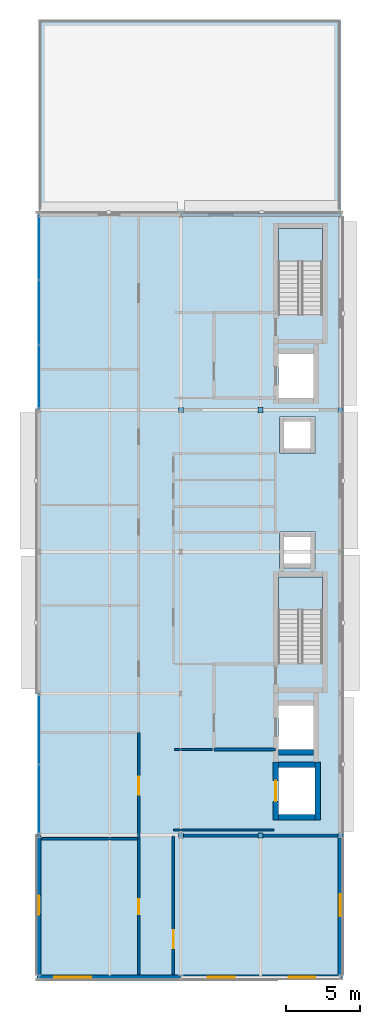
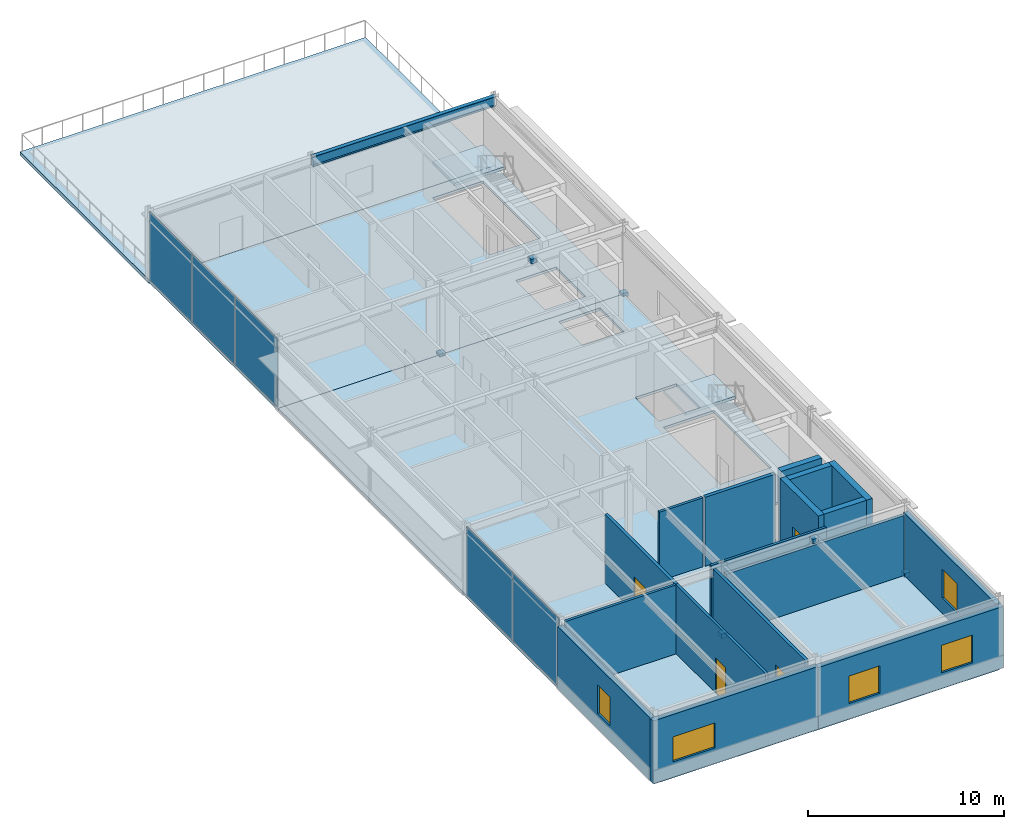
# One storey, part 13 of 18: 17 walls, 11 plates, 5 slabs, 5 windows, 4 doors, 1 beam, 9 openings, 4 elements without a shape of their own.
"""IFC4 building model written with IfcOpenShell, lengths in metres."""

import ifcopenshell
import ifcopenshell.guid

model = None  # the IFC model being written
_history = None  # IfcOwnerHistory: only IFC2X3 demands one
_inside = {}  # id of a spatial element -> (the spatial element, [elements in it])
_under = {}  # id of a project, library or spatial element -> (it, [spatial elements below it])
_declared = {}  # id of a project -> (the project, [libraries it declares])
_typed = {}  # id of a type object -> (the type object, [elements of that type])
_made_of = {}  # id of a material, layer set ... -> (it, [elements and type objects made of it])


def new_model(schema):
    """Start an empty IFC model of exactly this schema.

    Asked for "IFC4X3", IfcOpenShell would pick the latest addendum, in which some entities
    have other attributes; the version numbers below select the first issue.
    IFC2X3 requires an IfcOwnerHistory on every rooted entity: one is made here for all.
    """
    global model, _history
    if schema == "IFC4X3":
        model = ifcopenshell.file(schema_version=(4, 3, 0, 0))
    else:
        model = ifcopenshell.file(schema=schema)
    _inside.clear()
    _under.clear()
    _declared.clear()
    _typed.clear()
    _made_of.clear()
    _history = None
    if model.schema == "IFC2X3":
        org = make("IfcOrganization", Name="unknown")
        user = make(
            "IfcPersonAndOrganization",
            ThePerson=make("IfcPerson", FamilyName="unknown"),
            TheOrganization=org,
        )
        app = make(
            "IfcApplication",
            ApplicationDeveloper=org,
            Version="unknown",
            ApplicationFullName="unknown",
            ApplicationIdentifier="unknown",
        )
        _history = make(
            "IfcOwnerHistory",
            OwningUser=user,
            OwningApplication=app,
            ChangeAction="ADDED",
            CreationDate=0,
        )
    return model


def make(cls, **values):
    """One entity of the class cls with the attributes given. An attribute that is None is left unset."""
    return model.create_entity(
        cls, **{name: value for name, value in values.items() if value is not None}
    )


def rooted(cls, **values):
    """An entity with a GlobalId (a new one), such as an element, a storey or a relation."""
    return make(cls, GlobalId=ifcopenshell.guid.new(), OwnerHistory=_history, **values)


def si_unit(unit_type, name, prefix=None):
    """IfcSIUnit, for example si_unit("LENGTHUNIT", "METRE", prefix="MILLI")."""
    return make("IfcSIUnit", UnitType=unit_type, Prefix=prefix, Name=name)


def assignment(units):
    """IfcUnitAssignment: the units of a project."""
    return None if units is None else make("IfcUnitAssignment", Units=units)


def point(xyz):
    """IfcCartesianPoint."""
    return None if xyz is None else make("IfcCartesianPoint", Coordinates=xyz)


def direction(xyz):
    """IfcDirection."""
    return None if xyz is None else make("IfcDirection", DirectionRatios=xyz)


def frame(location, z_axis=None, x_axis=None):
    """IfcAxis2Placement3D, a coordinate frame: its origin and axes. An axis left out is left unset."""
    return make(
        "IfcAxis2Placement3D",
        Location=point(location),
        Axis=direction(z_axis),
        RefDirection=direction(x_axis),
    )


def frame_2d(location, x_axis=None):
    """IfcAxis2Placement2D, a coordinate frame in the plane: its origin and x axis."""
    return make(
        "IfcAxis2Placement2D", Location=point(location), RefDirection=direction(x_axis)
    )


def origin():
    """The frame at (0, 0, 0) with its axes left unset."""
    return frame((0.0, 0.0, 0.0))


def origin_2d():
    """The frame at (0, 0) in the plane with its x axis left unset."""
    return frame_2d((0.0, 0.0))


def place(relative_to, where):
    """IfcLocalPlacement: puts the frame where relative to a parent placement (None: the world)."""
    return make(
        "IfcLocalPlacement", PlacementRelTo=relative_to, RelativePlacement=where
    )


def context(
    kind, dimensions, precision=None, world=None, true_north=None, identifier=None
):
    """IfcGeometricRepresentationContext, for example the 3D "Model" context."""
    return make(
        "IfcGeometricRepresentationContext",
        ContextIdentifier=identifier,
        ContextType=kind,
        CoordinateSpaceDimension=dimensions,
        Precision=precision,
        WorldCoordinateSystem=world,
        TrueNorth=true_north,
    )


def subcontext(parent, identifier, kind, view, scale=None):
    """IfcGeometricRepresentationSubContext, for example "Body" below "Model"."""
    return make(
        "IfcGeometricRepresentationSubContext",
        ContextIdentifier=identifier,
        ContextType=kind,
        ParentContext=parent,
        TargetScale=scale,
        TargetView=view,
    )


def project(units=None, contexts=None):
    """IfcProject with its units and contexts."""
    return rooted(
        "IfcProject",
        Name="project",
        RepresentationContexts=contexts,
        UnitsInContext=assignment(units),
    )


def spatial(cls, under=None, at=None, **own):
    """A site, building, storey or space (cls), placed at a placement, below another one or the project."""
    s = rooted(cls, ObjectPlacement=at, **own)
    if under is not None:
        _under.setdefault(under.id(), (under, []))[1].append(s)
    return s


def polyline(points):
    """IfcPolyline through the points."""
    return make("IfcPolyline", Points=[point(p) for p in points])


def profile(cls, at=None, kind="AREA", **sizes):
    """A parametric profile (cls). Its sizes go by their IFC names, for example OverallWidth=200.0."""
    return make(cls, ProfileType=kind, Position=at, **sizes)


def rectangle(**sizes):
    """IfcRectangleProfileDef."""
    return profile("IfcRectangleProfileDef", **sizes)


def i_section(**sizes):
    """IfcIShapeProfileDef."""
    return profile("IfcIShapeProfileDef", **sizes)


def outline(outer, holes=None, kind="AREA"):
    """IfcArbitraryClosedProfileDef: a profile drawn as a closed curve; with holes, ...WithVoids."""
    if holes is None:
        return make("IfcArbitraryClosedProfileDef", ProfileType=kind, OuterCurve=outer)
    return make(
        "IfcArbitraryProfileDefWithVoids",
        ProfileType=kind,
        OuterCurve=outer,
        InnerCurves=holes,
    )


def extrude(swept, where, along, depth):
    """IfcExtrudedAreaSolid: the profile swept, set in the frame where, extruded along a direction by depth."""
    return make(
        "IfcExtrudedAreaSolid",
        SweptArea=swept,
        Position=where,
        ExtrudedDirection=direction(along),
        Depth=depth,
    )


def shape(context_of_items, identifier, shape_type, items):
    """IfcShapeRepresentation: the items that make up one representation, for example the "Body"."""
    return make(
        "IfcShapeRepresentation",
        ContextOfItems=context_of_items,
        RepresentationIdentifier=identifier,
        RepresentationType=shape_type,
        Items=items,
    )


def material(Name=None, Category=None):
    """IfcMaterial."""
    return make("IfcMaterial", Name=Name, Category=Category)


def layer(
    of_material, thickness, ventilated=None, Name=None, Category=None, Priority=None
):
    """IfcMaterialLayer: one layer of a wall or slab, of a material (None: an air gap)."""
    return make(
        "IfcMaterialLayer",
        Material=of_material,
        LayerThickness=thickness,
        IsVentilated=ventilated,
        Name=Name,
        Category=Category,
        Priority=Priority,
    )


def layer_set(layers, Name=None):
    """IfcMaterialLayerSet."""
    return make("IfcMaterialLayerSet", MaterialLayers=layers, LayerSetName=Name)


def material_profile(
    of_material, cross_section, Name=None, Category=None, Priority=None
):
    """IfcMaterialProfile: a cross section and its material."""
    return make(
        "IfcMaterialProfile",
        Name=Name,
        Material=of_material,
        Profile=cross_section,
        Priority=Priority,
        Category=Category,
    )


def profile_set(profiles, Name=None, composite=None):
    """IfcMaterialProfileSet."""
    return make(
        "IfcMaterialProfileSet",
        Name=Name,
        MaterialProfiles=profiles,
        CompositeProfile=composite,
    )


def made_of(thing, what):
    """Note that an element or type object is made of a material, layer set ...; save() writes the relation."""
    if what is not None:
        _made_of.setdefault(what.id(), (what, []))[1].append(thing)
    return thing


def type_object(cls, material=None, **own):
    """A type object (cls), such as IfcWallType, which elements share."""
    return made_of(rooted(cls, **own), material)


def element(
    cls,
    number,
    at=None,
    inside=None,
    cuts=None,
    type_object=None,
    material=None,
    context=None,
    identifier="Body",
    shape_type=None,
    held_by="IfcProductDefinitionShape",
    body=None,
    shapes=None,
    **own,
):
    """One element of the class cls, such as IfcWall. Its Tag is "e" and its number.

    at: its placement. inside: the storey or other place that contains it. cuts: it is an
    opening in that element (IfcRelVoidsElement). A single representation is given by context,
    identifier, shape_type and body (its items); several are given by shapes. held_by: the class
    of the entity that holds the representations. save() writes the other relations.
    """
    e = rooted(cls, Tag="e%d" % number, ObjectPlacement=at, **own)
    if body is not None:
        shapes = [shape(context, identifier, shape_type, body)]
    if shapes is not None:
        e.Representation = make(held_by, Representations=shapes)
    if inside is not None:
        _inside.setdefault(inside.id(), (inside, []))[1].append(e)
    if cuts is not None:
        rooted(
            "IfcRelVoidsElement", RelatingBuildingElement=cuts, RelatedOpeningElement=e
        )
    if type_object is not None:
        _typed.setdefault(type_object.id(), (type_object, []))[1].append(e)
    return made_of(e, material)


def fill(opening, filler):
    """IfcRelFillsElement: the door or window that sits in an opening."""
    return rooted(
        "IfcRelFillsElement",
        RelatingOpeningElement=opening,
        RelatedBuildingElement=filler,
    )


def aggregate(whole, parts):
    """IfcRelAggregates: a whole, such as a stair, and the parts it consists of."""
    return rooted("IfcRelAggregates", RelatingObject=whole, RelatedObjects=parts)


def save(model, path):
    """Write the relations noted so far, then the file.

    IfcRelAggregates (storeys below a building ...), IfcRelContainedInSpatialStructure (elements
    in a storey), IfcRelDefinesByType, IfcRelAssociatesMaterial and IfcRelDeclares: one each for
    every whole, place, type object, material and project.
    """
    for whole, parts in _under.values():
        aggregate(whole, parts)
    for where, things in _inside.values():
        rooted(
            "IfcRelContainedInSpatialStructure",
            RelatedElements=things,
            RelatingStructure=where,
        )
    for kind, things in _typed.values():
        rooted("IfcRelDefinesByType", RelatedObjects=things, RelatingType=kind)
    for what, things in _made_of.values():
        rooted("IfcRelAssociatesMaterial", RelatedObjects=things, RelatingMaterial=what)
    for by, libraries in _declared.values():
        rooted("IfcRelDeclares", RelatingContext=by, RelatedDefinitions=libraries)
    model.write(path)


model = new_model("IFC4")

# Units and contexts
model_context = context("Model", 3, precision=1e-05, world=origin(), true_north=direction((0.0, 1.0)))
body_context = subcontext(model_context, "Body", "Model", "MODEL_VIEW")
ifc_project = project(units=[si_unit("LENGTHUNIT", "METRE"), si_unit("AREAUNIT", "SQUARE_METRE"), si_unit("VOLUMEUNIT", "CUBIC_METRE"), si_unit("PLANEANGLEUNIT", "RADIAN"), si_unit("MASSUNIT", "GRAM", prefix="KILO")], contexts=[model_context])

# Site, building, storey
site_placement = place(None, origin())
site = spatial("IfcSite", under=ifc_project, at=site_placement, CompositionType="ELEMENT")
building_placement = place(site_placement, origin())
building = spatial("IfcBuilding", under=site, at=building_placement, Name="Almandine Court Research Institute", CompositionType="ELEMENT")
storey_placement = place(building_placement, frame((0.0, 0.0, 37.10009765625)))
storey = spatial("IfcBuildingStorey", under=building, at=storey_placement, Name="L08", CompositionType="ELEMENT", Elevation=37.10009765625)

# Beam
ifc_material_1 = material(Name="Steel ASTM A992 Grade 50", Category="steel")
ifc_material_profile = material_profile(ifc_material_1, i_section(OverallWidth=0.22998046875, OverallDepth=0.616943359375, WebThickness=0.012939453125, FlangeThickness=0.02197265625, at=origin_2d()), Name="W610x140")
ifc_profile_set = profile_set([ifc_material_profile], Name="Steel ASTM A992 Grade 50")
beam_type = type_object("IfcBeamType", Name="Beam-G-02", PredefinedType="BEAM", material=ifc_profile_set)
beam_placement = place(storey_placement, frame((163.199951171875, 57.60009765625, 4.075927734375), z_axis=(1.0, 0.0, 0.0), x_axis=(0.0, 1.0, 0.0)))
element("IfcBeam", 1, at=beam_placement, inside=storey, type_object=beam_type, Name="L08 V4 Primary X Girder", PredefinedType="BEAM", context=body_context, shape_type="SweptSolid", body=[
    extrude(i_section(OverallWidth=0.22998046875, OverallDepth=0.616943359375, WebThickness=0.012939453125, FlangeThickness=0.02197265625, at=origin_2d()), origin(), (0.0, 0.0, 1.0), 10.800048828125),
])

# Curtain wall, plates
ifc_material_2 = material(Name="Unitised Curtain Wall Framing and Solar Glazing", Category="glass")
curtain_wall_type_1 = type_object("IfcCurtainWallType", Name="CW-CWJ-02", PredefinedType="USERDEFINED", material=ifc_material_2)
curtain_wall_1_placement = place(storey_placement, origin())
curtain_wall_1 = element("IfcCurtainWall", 2, at=curtain_wall_1_placement, inside=storey, type_object=curtain_wall_type_1, Name="L08 Wet Lab West Courtyard Jali Curtain Wall 2", ObjectType="SOLAR JALI SCREEN", PredefinedType="USERDEFINED")
ifc_material_3 = material(Name="Perforated Ochre Terracotta Jali Solar Cassette", Category="masonry")
ifc_layer_1 = layer(ifc_material_3, 0.035888671875)
ifc_layer_set_1 = layer_set([ifc_layer_1], Name="Perforated Ochre Terracotta Jali Solar Cassette")
plate_type_1 = type_object("IfcPlateType", Name="CWPnl-JALI-36", PredefinedType="CURTAIN_PANEL", material=ifc_layer_set_1)
plate_1_placement = place(storey_placement, frame((153.60009765625, 18.018310546875, 0.06494140625), z_axis=(0.0, 0.0, 1.0), x_axis=(0.0, 1.0, 0.0)))
plate_1 = element("IfcPlate", 3, at=plate_1_placement, type_object=plate_type_1, Name="CWJ-02 panel 1.1", PredefinedType="CURTAIN_PANEL", context=body_context, shape_type="SweptSolid", body=[
    extrude(rectangle(XDim=4.698486328125, YDim=0.035888671875, at=origin_2d()), origin(), (0.0, 0.0, 1.0), 4.239990234375),
])
plate_2_placement = place(storey_placement, frame((153.60009765625, 22.78173828125, 0.06494140625), z_axis=(0.0, 0.0, 1.0), x_axis=(0.0, 1.0, 0.0)))
plate_2 = element("IfcPlate", 4, at=plate_2_placement, type_object=plate_type_1, Name="CWJ-02 panel 2.1", PredefinedType="CURTAIN_PANEL", context=body_context, shape_type="SweptSolid", body=[
    extrude(rectangle(XDim=4.698486328125, YDim=0.035888671875, at=origin_2d()), origin(), (0.0, 0.0, 1.0), 4.239990234375),
])
aggregate(curtain_wall_1, [plate_1, plate_2])

curtain_wall_type_2 = type_object("IfcCurtainWallType", Name="CW-CWJ-15", PredefinedType="USERDEFINED", material=ifc_material_2)
curtain_wall_2_placement = place(storey_placement, origin())
curtain_wall_2 = element("IfcCurtainWall", 5, at=curtain_wall_2_placement, inside=storey, type_object=curtain_wall_type_2, Name="L08 Wet Lab West Courtyard Jali Curtain Wall 5", ObjectType="SOLAR JALI SCREEN", PredefinedType="USERDEFINED")
plate_3_placement = place(storey_placement, frame((153.60009765625, 46.618896484375, 0.06494140625), z_axis=(0.0, 0.0, 1.0), x_axis=(0.0, 1.0, 0.0)))
plate_3 = element("IfcPlate", 6, at=plate_3_placement, type_object=plate_type_1, Name="CWJ-15 panel 1.1", PredefinedType="CURTAIN_PANEL", context=body_context, shape_type="SweptSolid", body=[
    extrude(rectangle(XDim=4.2998046875, YDim=0.035888671875, at=origin_2d()), origin(), (0.0, 0.0, 1.0), 4.239990234375),
])
plate_4_placement = place(storey_placement, frame((153.60009765625, 51.0, 0.06494140625), z_axis=(0.0, 0.0, 1.0), x_axis=(0.0, 1.0, 0.0)))
plate_4 = element("IfcPlate", 7, at=plate_4_placement, type_object=plate_type_1, Name="CWJ-15 panel 2.1", PredefinedType="CURTAIN_PANEL", context=body_context, shape_type="SweptSolid", body=[
    extrude(rectangle(XDim=4.332275390625, YDim=0.035888671875, at=origin_2d()), origin(), (0.0, 0.0, 1.0), 4.239990234375),
])
plate_5_placement = place(storey_placement, frame((153.60009765625, 55.381103515625, 0.06494140625), z_axis=(0.0, 0.0, 1.0), x_axis=(0.0, 1.0, 0.0)))
plate_5 = element("IfcPlate", 8, at=plate_5_placement, type_object=plate_type_1, Name="CWJ-15 panel 3.1", PredefinedType="CURTAIN_PANEL", context=body_context, shape_type="SweptSolid", body=[
    extrude(rectangle(XDim=4.2998046875, YDim=0.035888671875, at=origin_2d()), origin(), (0.0, 0.0, 1.0), 4.239990234375),
])
aggregate(curtain_wall_2, [plate_3, plate_4, plate_5])

# Plates
ifc_material_4 = material(Name="Steel ASTM A36", Category="steel")
ifc_layer_2 = layer(ifc_material_4, 0.280029296875)
ifc_layer_set_2 = layer_set([ifc_layer_2], Name="Steel ASTM A36")
plate_type_2 = type_object("IfcPlateType", Name="Plate-NPI-03", PredefinedType="SHEET", material=ifc_layer_set_2)
for number, where, z_axis, x_axis, name in (
    (9, (163.199951171875, 15.60009765625, -0.1201171875), (0.0, 0.0, 1.0), (1.0, 0.0, 0.0), "L08 Seismic Brace Gusset Cap Plate V4-BF1-BL"),
    (10, (174.0, 15.60009765625, -0.1201171875), (0.0, 0.0, 1.0), (1.0, 0.0, 0.0), "L08 Seismic Brace Gusset Cap Plate V4-BF1-BR"),
    (11, (168.60009765625, 15.60009765625, 3.90966796875), (0.0, 0.0, 1.0), (1.0, 0.0, 0.0), "L08 Seismic Brace Gusset Cap Plate V4-BF1-AP"),
    (12, (163.199951171875, 44.39990234375, -0.1201171875), (0.0, 0.0, 1.0), (1.0, 0.0, 0.0), "L08 Seismic Brace Gusset Cap Plate V4-BF2-BL"),
    (13, (174.0, 44.39990234375, -0.1201171875), (0.0, 0.0, 1.0), (1.0, 0.0, 0.0), "L08 Seismic Brace Gusset Cap Plate V4-BF2-BR"),
    (14, (168.60009765625, 44.39990234375, 3.90966796875), (0.0, 0.0, 1.0), (1.0, 0.0, 0.0), "L08 Seismic Brace Gusset Cap Plate V4-BF2-AP"),
):
    element("IfcPlate", number, at=place(storey_placement, frame(where, z_axis=z_axis, x_axis=x_axis)), inside=storey, type_object=plate_type_2, Name=name, PredefinedType="SHEET", context=body_context, shape_type="SweptSolid", body=[
        extrude(rectangle(XDim=0.340087890625, YDim=0.340087890625, at=origin_2d()), origin(), (0.0, 0.0, 1.0), 0.280029296875),
    ])

# Slabs
ifc_material_5 = material(Name="Concrete C35/45", Category="concrete")
ifc_layer_3 = layer(ifc_material_5, 0.1650390625)
ifc_layer_set_3 = layer_set([ifc_layer_3], Name="Concrete C35/45")
slab_type_1 = type_object("IfcSlabType", Name="Slab-FLR-165", PredefinedType="FLOOR", material=ifc_layer_set_3)
slab_1_placement = place(storey_placement, frame((0.0, 0.0, -0.1650390625)))
element("IfcSlab", 15, at=slab_1_placement, inside=storey, type_object=slab_type_1, Name="L08 Volume 4 Wet Laboratory S Floor Slab", PredefinedType="FLOOR", context=body_context, shape_type="SweptSolid", body=[
    extrude(outline(polyline([(153.60009765625, 6.0), (174.0, 6.0), (174.0, 44.39990234375), (153.60009765625, 44.39990234375), (153.60009765625, 6.0)]), holes=[polyline([(172.800048828125, 27.25), (172.800048828125, 33.10009765625), (169.800048828125, 33.10009765625), (169.800048828125, 27.25), (172.800048828125, 27.25)]), polyline([(169.800048828125, 21.39990234375), (172.199951171875, 21.39990234375), (172.199951171875, 24.39990234375), (169.800048828125, 24.39990234375), (169.800048828125, 21.39990234375)]), polyline([(169.800048828125, 17.0), (172.300048828125, 17.0), (172.300048828125, 20.199951171875), (169.800048828125, 20.199951171875), (169.800048828125, 17.0)]), polyline([(169.8798828125, 33.679931640625), (172.320068359375, 33.679931640625), (172.320068359375, 36.1201171875), (169.8798828125, 36.1201171875), (169.8798828125, 33.679931640625)]), polyline([(169.8798828125, 41.47998046875), (172.320068359375, 41.47998046875), (172.320068359375, 43.919921875), (169.8798828125, 43.919921875), (169.8798828125, 41.47998046875)])]), origin(), (0.0, 0.0, 1.0), 0.1650390625),
])
slab_2_placement = place(storey_placement, frame((0.0, 0.0, -0.1650390625)))
element("IfcSlab", 16, at=slab_2_placement, inside=storey, type_object=slab_type_1, Name="L08 Volume 4 Wet Laboratory N Floor Slab", PredefinedType="FLOOR", context=body_context, shape_type="SweptSolid", body=[
    extrude(outline(polyline([(153.60009765625, 44.39990234375), (174.0, 44.39990234375), (174.0, 57.60009765625), (153.60009765625, 57.60009765625), (153.60009765625, 44.39990234375)]), holes=[polyline([(172.800048828125, 50.85009765625), (172.800048828125, 56.699951171875), (169.800048828125, 56.699951171875), (169.800048828125, 50.85009765625), (172.800048828125, 50.85009765625)]), polyline([(169.800048828125, 45.199951171875), (172.199951171875, 45.199951171875), (172.199951171875, 48.199951171875), (169.800048828125, 48.199951171875), (169.800048828125, 45.199951171875)])]), origin(), (0.0, 0.0, 1.0), 0.1650390625),
])

# Stair, slab
stair_type = type_object("IfcStairType", Name="Stair-Core-26R", PredefinedType="HALF_TURN_STAIR", material=ifc_material_5)
stair_1_placement = place(storey_placement, origin())
stair_1 = element("IfcStair", 17, at=stair_1_placement, inside=storey, type_object=stair_type, Name="L08 Wet Lab South High-Rise Core Stair", PredefinedType="HALF_TURN_STAIR")
ifc_layer_4 = layer(ifc_material_5, 0.179931640625)
ifc_layer_set_4 = layer_set([ifc_layer_4], Name="Concrete C35/45")
slab_type_2 = type_object("IfcSlabType", Name="Slab-Landing-180", PredefinedType="LANDING", material=ifc_layer_set_4)
slab_3_placement = place(storey_placement, frame((0.0, 0.0, 2.094970703125)))
slab_3 = element("IfcSlab", 18, at=slab_3_placement, type_object=slab_type_2, Name="ST-07 landing 1", PredefinedType="LANDING", context=body_context, shape_type="SweptSolid", body=[
    extrude(outline(polyline([(172.800048828125, 30.85009765625), (172.800048828125, 33.10009765625), (169.800048828125, 33.10009765625), (169.800048828125, 30.85009765625), (172.800048828125, 30.85009765625)])), origin(), (0.0, 0.0, 1.0), 0.179931640625),
])
aggregate(stair_1, [slab_3])

stair_2_placement = place(storey_placement, origin())
stair_2 = element("IfcStair", 19, at=stair_2_placement, inside=storey, type_object=stair_type, Name="L08 Wet Lab Central High-Rise Core Stair", PredefinedType="HALF_TURN_STAIR")
slab_4_placement = place(storey_placement, frame((0.0, 0.0, 2.094970703125)))
slab_4 = element("IfcSlab", 20, at=slab_4_placement, type_object=slab_type_2, Name="ST-08 landing 1", PredefinedType="LANDING", context=body_context, shape_type="SweptSolid", body=[
    extrude(outline(polyline([(172.800048828125, 54.449951171875), (172.800048828125, 56.699951171875), (169.800048828125, 56.699951171875), (169.800048828125, 54.449951171875), (172.800048828125, 54.449951171875)])), origin(), (0.0, 0.0, 1.0), 0.179931640625),
])
aggregate(stair_2, [slab_4])

# Slab
ifc_layer_5 = layer(ifc_material_5, 0.22509765625)
ifc_layer_set_5 = layer_set([ifc_layer_5], Name="Concrete C35/45")
slab_type_3 = type_object("IfcSlabType", Name="Slab-TER-225", PredefinedType="FLOOR", material=ifc_layer_set_5)
slab_5_placement = place(storey_placement, frame((0.0, 0.0, -0.22509765625)))
element("IfcSlab", 21, at=slab_5_placement, inside=storey, type_object=slab_type_3, Name="L08 Volume 4 Stepped Planted Roof Garden Slab", PredefinedType="FLOOR", context=body_context, shape_type="SweptSolid", body=[
    extrude(outline(polyline([(153.60009765625, 57.60009765625), (174.0, 57.60009765625), (174.0, 70.800048828125), (153.60009765625, 70.800048828125), (153.60009765625, 57.60009765625)])), origin(), (0.0, 0.0, 1.0), 0.22509765625),
])

# Wall, opening, window
ifc_material_6 = material(Name="Insulated Ochre Terracotta Rainscreen Wall", Category="masonry")
ifc_layer_6 = layer(ifc_material_6, 0.2900390625)
ifc_layer_set_6 = layer_set([ifc_layer_6], Name="Insulated Ochre Terracotta Rainscreen Wall")
wall_type_1 = type_object("IfcWallType", Name="Wall-EXT-TERR-290", PredefinedType="SOLIDWALL", material=ifc_layer_set_6)
wall_1_placement = place(storey_placement, frame((153.60009765625, 6.14892578125, 0.0), z_axis=(0.0, 0.0, 1.0), x_axis=(0.0, 1.0, 0.0)))
wall_1 = element("IfcWall", 22, at=wall_1_placement, inside=storey, type_object=wall_type_1, Name="L08 Wet Lab West Facade Wall 1", PredefinedType="SOLIDWALL", context=body_context, shape_type="SweptSolid", body=[
    extrude(rectangle(XDim=9.447021484375, YDim=0.2900390625, at=frame_2d((4.7236328125, 0.0))), origin(), (0.0, 0.0, 1.0), 3.907958984375),
])
opening_1_placement = place(wall_1_placement, frame((4.087890625, 0.0, 0.949951171875)))
opening_1 = element("IfcOpeningElement", 23, at=opening_1_placement, cuts=wall_1, Name="Opening WN-20", PredefinedType="OPENING", context=body_context, shape_type="SweptSolid", body=[
    extrude(rectangle(XDim=1.27001953125, YDim=1.800048828125, at=frame_2d((0.635009765625, 0.89990234375))), frame((0.0, 0.155029296875, 0.0), z_axis=(0.0, -1.0, 0.0), x_axis=(1.0, 0.0, 0.0)), (0.0, 0.0, 1.0), 0.31005859375),
])
ifc_material_7 = material(Name="Thermally Broken Low-E Double-Glazed Window", Category="glass")
window_type_1 = type_object("IfcWindowType", Name="Win-WN-20-1270x1800", PartitioningType="SINGLE_PANEL", PredefinedType="WINDOW", material=ifc_material_7)
window_1_placement = place(opening_1_placement, origin())
window_1 = element("IfcWindow", 24, at=window_1_placement, inside=storey, type_object=window_type_1, Name="L08 Modular Recessed Low-E Window 184", OverallHeight=1.800048828125, OverallWidth=1.27001953125, PartitioningType="SINGLE_PANEL", PredefinedType="WINDOW", context=body_context, shape_type="SweptSolid", body=[
    extrude(rectangle(XDim=1.27001953125, YDim=1.800048828125, at=frame_2d((0.635009765625, 0.89990234375))), frame((0.0, 0.030029296875, 0.0), z_axis=(0.0, -1.0, 0.0), x_axis=(1.0, 0.0, 0.0)), (0.0, 0.0, 1.0), 0.06005859375),
])
fill(opening_1, window_1)

wall_2_placement = place(storey_placement, frame((174.0, 15.595947265625, 0.0), z_axis=(0.0, 0.0, 1.0), x_axis=(0.0, -1.0, 0.0)))
wall_2 = element("IfcWall", 25, at=wall_2_placement, inside=storey, type_object=wall_type_1, Name="L08 Wet Lab East Facade Wall 1", PredefinedType="SOLIDWALL", context=body_context, shape_type="SweptSolid", body=[
    extrude(rectangle(XDim=9.447021484375, YDim=0.2900390625, at=frame_2d((4.7236328125, 0.0))), origin(), (0.0, 0.0, 1.0), 3.89892578125),
])
opening_2_placement = place(wall_2_placement, frame((3.97802734375, 0.0, 0.949951171875)))
opening_2 = element("IfcOpeningElement", 26, at=opening_2_placement, cuts=wall_2, Name="Opening WN-67", PredefinedType="OPENING", context=body_context, shape_type="SweptSolid", body=[
    extrude(rectangle(XDim=1.489990234375, YDim=1.800048828125, at=frame_2d((0.7451171875, 0.89990234375))), frame((0.0, 0.155029296875, 0.0), z_axis=(0.0, -1.0, 0.0), x_axis=(1.0, 0.0, 0.0)), (0.0, 0.0, 1.0), 0.31005859375),
])
window_type_2 = type_object("IfcWindowType", Name="Win-WN-67-1490x1800", PartitioningType="SINGLE_PANEL", PredefinedType="WINDOW", material=ifc_material_7)
window_2_placement = place(opening_2_placement, origin())
window_2 = element("IfcWindow", 27, at=window_2_placement, inside=storey, type_object=window_type_2, Name="L08 Modular Recessed Low-E Window 190", OverallHeight=1.800048828125, OverallWidth=1.489990234375, PartitioningType="SINGLE_PANEL", PredefinedType="WINDOW", context=body_context, shape_type="SweptSolid", body=[
    extrude(rectangle(XDim=1.489990234375, YDim=1.800048828125, at=frame_2d((0.7451171875, 0.89990234375))), frame((0.0, 0.030029296875, 0.0), z_axis=(0.0, -1.0, 0.0), x_axis=(1.0, 0.0, 0.0)), (0.0, 0.0, 1.0), 0.06005859375),
])
fill(opening_2, window_2)

# Wall, openings, windows
wall_3_placement = place(storey_placement, frame((174.14501953125, 6.0, 0.0), z_axis=(0.0, 0.0, 1.0), x_axis=(-1.0, 0.0, 0.0)))
wall_3 = element("IfcWall", 28, at=wall_3_placement, inside=storey, type_object=wall_type_1, Name="L08 Wet Lab South Wall 1", PredefinedType="SOLIDWALL", context=body_context, shape_type="SweptSolid", body=[
    extrude(rectangle(XDim=10.94091796875, YDim=0.2900390625, at=frame_2d((5.470458984375, 0.0))), origin(), (0.0, 0.0, 1.0), 3.830810546875),
])
opening_3_placement = place(wall_3_placement, frame((1.824951171875, 0.0, 0.949951171875)))
opening_3 = element("IfcOpeningElement", 29, at=opening_3_placement, cuts=wall_3, Name="Opening WN-68", PredefinedType="OPENING", context=body_context, shape_type="SweptSolid", body=[
    extrude(rectangle(XDim=1.820068359375, YDim=1.719970703125, at=frame_2d((0.91015625, 0.85986328125))), frame((0.0, 0.155029296875, 0.0), z_axis=(0.0, -1.0, 0.0), x_axis=(1.0, 0.0, 0.0)), (0.0, 0.0, 1.0), 0.31005859375),
])
opening_4_placement = place(wall_3_placement, frame((7.2958984375, 0.0, 0.949951171875)))
opening_4 = element("IfcOpeningElement", 30, at=opening_4_placement, cuts=wall_3, Name="Opening WN-68", PredefinedType="OPENING", context=body_context, shape_type="SweptSolid", body=[
    extrude(rectangle(XDim=1.820068359375, YDim=1.719970703125, at=frame_2d((0.91015625, 0.85986328125))), frame((0.0, 0.155029296875, 0.0), z_axis=(0.0, -1.0, 0.0), x_axis=(1.0, 0.0, 0.0)), (0.0, 0.0, 1.0), 0.31005859375),
])
window_type_3 = type_object("IfcWindowType", Name="Win-WN-68-1820x1720", PartitioningType="SINGLE_PANEL", PredefinedType="WINDOW", material=ifc_material_7)
window_3_placement = place(opening_3_placement, origin())
window_3 = element("IfcWindow", 31, at=window_3_placement, inside=storey, type_object=window_type_3, Name="L08 Modular Recessed Low-E Window 191", OverallHeight=1.719970703125, OverallWidth=1.820068359375, PartitioningType="SINGLE_PANEL", PredefinedType="WINDOW", context=body_context, shape_type="SweptSolid", body=[
    extrude(rectangle(XDim=1.820068359375, YDim=1.719970703125, at=frame_2d((0.91015625, 0.85986328125))), frame((0.0, 0.030029296875, 0.0), z_axis=(0.0, -1.0, 0.0), x_axis=(1.0, 0.0, 0.0)), (0.0, 0.0, 1.0), 0.06005859375),
])
fill(opening_3, window_3)
window_4_placement = place(opening_4_placement, origin())
window_4 = element("IfcWindow", 32, at=window_4_placement, inside=storey, type_object=window_type_3, Name="L08 Modular Recessed Low-E Window 192", OverallHeight=1.719970703125, OverallWidth=1.820068359375, PartitioningType="SINGLE_PANEL", PredefinedType="WINDOW", context=body_context, shape_type="SweptSolid", body=[
    extrude(rectangle(XDim=1.820068359375, YDim=1.719970703125, at=frame_2d((0.91015625, 0.85986328125))), frame((0.0, 0.030029296875, 0.0), z_axis=(0.0, -1.0, 0.0), x_axis=(1.0, 0.0, 0.0)), (0.0, 0.0, 1.0), 0.06005859375),
])
fill(opening_4, window_4)

# Wall, opening, window
wall_4_placement = place(storey_placement, frame((163.196044921875, 6.0, 0.0), z_axis=(0.0, 0.0, 1.0), x_axis=(-1.0, 0.0, 0.0)))
wall_4 = element("IfcWall", 33, at=wall_4_placement, inside=storey, type_object=wall_type_1, Name="L08 Wet Lab South Wall 2", PredefinedType="SOLIDWALL", context=body_context, shape_type="SweptSolid", body=[
    extrude(rectangle(XDim=9.740966796875, YDim=0.2900390625, at=frame_2d((4.87060546875, 0.0))), origin(), (0.0, 0.0, 1.0), 3.89892578125),
])
opening_5_placement = place(wall_4_placement, frame((6.06591796875, 0.0, 0.949951171875)))
opening_5 = element("IfcOpeningElement", 34, at=opening_5_placement, cuts=wall_4, Name="Opening WN-70", PredefinedType="OPENING", context=body_context, shape_type="SweptSolid", body=[
    extrude(rectangle(XDim=2.47998046875, YDim=1.56005859375, at=frame_2d((1.239990234375, 0.780029296875))), frame((0.0, 0.155029296875, 0.0), z_axis=(0.0, -1.0, 0.0), x_axis=(1.0, 0.0, 0.0)), (0.0, 0.0, 1.0), 0.31005859375),
])
window_type_4 = type_object("IfcWindowType", Name="Win-WN-70-2480x1560", PartitioningType="SINGLE_PANEL", PredefinedType="WINDOW", material=ifc_material_7)
window_5_placement = place(opening_5_placement, origin())
window_5 = element("IfcWindow", 35, at=window_5_placement, inside=storey, type_object=window_type_4, Name="L08 Modular Recessed Low-E Window 193", OverallHeight=1.56005859375, OverallWidth=2.47998046875, PartitioningType="SINGLE_PANEL", PredefinedType="WINDOW", context=body_context, shape_type="SweptSolid", body=[
    extrude(rectangle(XDim=2.47998046875, YDim=1.56005859375, at=frame_2d((1.239990234375, 0.780029296875))), frame((0.0, 0.030029296875, 0.0), z_axis=(0.0, -1.0, 0.0), x_axis=(1.0, 0.0, 0.0)), (0.0, 0.0, 1.0), 0.06005859375),
])
fill(opening_5, window_5)

# Wall, opening, door
ifc_material_8 = material(Name="One-Hour Fire-Rated Laboratory Partition")
ifc_layer_7 = layer(ifc_material_8, 0.175048828125)
ifc_layer_set_7 = layer_set([ifc_layer_7], Name="One-Hour Fire-Rated Laboratory Partition")
wall_type_2 = type_object("IfcWallType", Name="Wall-FIRE-175", PredefinedType="PARTITIONING", material=ifc_layer_set_7)
wall_5_placement = place(storey_placement, frame((160.35009765625, 15.360107421875, 0.0), z_axis=(0.0, 0.0, 1.0), x_axis=(0.0, 1.0, 0.0)))
wall_5 = element("IfcWall", 36, at=wall_5_placement, inside=storey, type_object=wall_type_2, Name="L08 Interior Partition W-V4-L08-WW-1", PredefinedType="PARTITIONING", context=body_context, shape_type="SweptSolid", body=[
    extrude(rectangle(XDim=7.199951171875, YDim=0.175048828125, at=frame_2d((3.60009765625, 0.0))), origin(), (0.0, 0.0, 1.0), 4.2998046875),
])
opening_6_placement = place(wall_5_placement, frame((3.0, 0.0, 0.0)))
opening_6 = element("IfcOpeningElement", 37, at=opening_6_placement, cuts=wall_5, Name="Opening FD-LAB", PredefinedType="OPENING", context=body_context, shape_type="SweptSolid", body=[
    extrude(rectangle(XDim=1.199951171875, YDim=2.199951171875, at=frame_2d((0.60009765625, 1.10009765625))), frame((0.0, 0.097412109375, 0.0), z_axis=(0.0, -1.0, 0.0), x_axis=(1.0, 0.0, 0.0)), (0.0, 0.0, 1.0), 0.195068359375),
])
ifc_material_9 = material(Name="Fire-Rated Laboratory Containment Door")
door_type_1 = type_object("IfcDoorType", Name="Door-FD-LAB-1200", OperationType="NOTDEFINED", PredefinedType="DOOR", material=ifc_material_9)
door_1_placement = place(opening_6_placement, origin())
door_1 = element("IfcDoor", 38, at=door_1_placement, inside=storey, type_object=door_type_1, Name="L08 Biosciences BSL-2 Laboratory Door", OperationType="SINGLE_SWING_RIGHT", OverallHeight=2.199951171875, OverallWidth=1.199951171875, PredefinedType="DOOR", context=body_context, shape_type="SweptSolid", body=[
    extrude(rectangle(XDim=1.199951171875, YDim=2.199951171875, at=frame_2d((0.60009765625, 1.10009765625))), frame((0.0, 0.02490234375, 0.0), z_axis=(0.0, -1.0, 0.0), x_axis=(1.0, 0.0, 0.0)), (0.0, 0.0, 1.0), 0.050048828125),
])
fill(opening_6, door_1)

wall_6_placement = place(storey_placement, frame((162.699951171875, 6.159912109375, 0.0), z_axis=(0.0, 0.0, 1.0), x_axis=(0.0, 1.0, 0.0)))
wall_6 = element("IfcWall", 39, at=wall_6_placement, inside=storey, type_object=wall_type_2, Name="L08 Interior Partition W-V4-L08-EW-S", PredefinedType="PARTITIONING", context=body_context, shape_type="SweptSolid", body=[
    extrude(rectangle(XDim=9.39013671875, YDim=0.175048828125, at=frame_2d((4.695068359375, 0.0))), origin(), (0.0, 0.0, 1.0), 4.2998046875),
])
opening_7_placement = place(wall_6_placement, frame((1.800048828125, 0.0, 0.0)))
opening_7 = element("IfcOpeningElement", 40, at=opening_7_placement, cuts=wall_6, Name="Opening FD-LAB", PredefinedType="OPENING", context=body_context, shape_type="SweptSolid", body=[
    extrude(rectangle(XDim=1.199951171875, YDim=2.199951171875, at=frame_2d((0.60009765625, 1.10009765625))), frame((0.0, 0.097412109375, 0.0), z_axis=(0.0, -1.0, 0.0), x_axis=(1.0, 0.0, 0.0)), (0.0, 0.0, 1.0), 0.195068359375),
])
door_2_placement = place(opening_7_placement, origin())
door_2 = element("IfcDoor", 41, at=door_2_placement, inside=storey, type_object=door_type_1, Name="L08 Analytical Lab Door", OperationType="SINGLE_SWING_RIGHT", OverallHeight=2.199951171875, OverallWidth=1.199951171875, PredefinedType="DOOR", context=body_context, shape_type="SweptSolid", body=[
    extrude(rectangle(XDim=1.199951171875, YDim=2.199951171875, at=frame_2d((0.60009765625, 1.10009765625))), frame((0.0, 0.02490234375, 0.0), z_axis=(0.0, -1.0, 0.0), x_axis=(1.0, 0.0, 0.0)), (0.0, 0.0, 1.0), 0.050048828125),
])
fill(opening_7, door_2)

# Walls
ifc_material_10 = material(Name="Two-Hour Fire-Barrier Enclosure Wall")
ifc_layer_8 = layer(ifc_material_10, 0.199951171875)
ifc_layer_set_8 = layer_set([ifc_layer_8], Name="Two-Hour Fire-Barrier Enclosure Wall")
wall_type_3 = type_object("IfcWallType", Name="Wall-FIRE-200", PredefinedType="SOLIDWALL", material=ifc_layer_set_8)
wall_7_placement = place(storey_placement, frame((163.360107421875, 15.60009765625, 0.0), z_axis=(0.0, 0.0, 1.0), x_axis=(1.0, 0.0, 0.0)))
element("IfcWall", 42, at=wall_7_placement, inside=storey, type_object=wall_type_3, Name="L08 Interior Partition W-BF-V4-BF1-L08", PredefinedType="SOLIDWALL", context=body_context, shape_type="SweptSolid", body=[
    extrude(rectangle(XDim=10.47998046875, YDim=0.199951171875, at=frame_2d((5.239990234375, 0.0))), origin(), (0.0, 0.0, 1.0), 3.751953125),
])
wall_8_placement = place(storey_placement, frame((165.449951171875, 21.39990234375, 0.0), z_axis=(0.0, 0.0, 1.0), x_axis=(1.0, 0.0, 0.0)))
element("IfcWall", 43, at=wall_8_placement, inside=storey, type_object=wall_type_3, Name="L08 Interior Partition W-FFL1-L08-S", PredefinedType="SOLIDWALL", context=body_context, shape_type="SweptSolid", body=[
    extrude(rectangle(XDim=4.150146484375, YDim=0.199951171875, at=frame_2d((2.0751953125, 0.0))), origin(), (0.0, 0.0, 1.0), 4.2998046875),
])

# Wall, opening, door
ifc_material_11 = material(Name="Acoustic Steel-Stud Gypsum Partition Wall", Category="steel")
ifc_layer_9 = layer(ifc_material_11, 0.14990234375)
ifc_layer_set_9 = layer_set([ifc_layer_9], Name="Acoustic Steel-Stud Gypsum Partition Wall")
wall_type_4 = type_object("IfcWallType", Name="Wall-PART-150", PredefinedType="PARTITIONING", material=ifc_layer_set_9)
wall_9_placement = place(storey_placement, frame((160.35009765625, 6.159912109375, 0.0), z_axis=(0.0, 0.0, 1.0), x_axis=(0.0, 1.0, 0.0)))
wall_9 = element("IfcWall", 44, at=wall_9_placement, inside=storey, type_object=wall_type_4, Name="L08 Interior Partition W-V4-L08-WW-0", PredefinedType="PARTITIONING", context=body_context, shape_type="SweptSolid", body=[
    extrude(rectangle(XDim=9.2001953125, YDim=0.14990234375, at=frame_2d((4.60009765625, 0.0))), origin(), (0.0, 0.0, 1.0), 4.2998046875),
])
opening_8_placement = place(wall_9_placement, frame((4.10009765625, 0.0, 0.0)))
opening_8 = element("IfcOpeningElement", 45, at=opening_8_placement, cuts=wall_9, Name="Opening D-02", PredefinedType="OPENING", context=body_context, shape_type="SweptSolid", body=[
    extrude(rectangle(XDim=1.0, YDim=2.199951171875, at=frame_2d((0.5, 1.10009765625))), frame((0.0, 0.0849609375, 0.0), z_axis=(0.0, -1.0, 0.0), x_axis=(1.0, 0.0, 0.0)), (0.0, 0.0, 1.0), 0.169921875),
])
ifc_material_12 = material(Name="Solid-Core Timber Researcher Office Door", Category="wood")
door_type_2 = type_object("IfcDoorType", Name="Door-INT-1000", OperationType="NOTDEFINED", PredefinedType="DOOR", material=ifc_material_12)
door_3_placement = place(opening_8_placement, origin())
door_3 = element("IfcDoor", 46, at=door_3_placement, inside=storey, type_object=door_type_2, Name="L08 Faculty Study Door", OperationType="SINGLE_SWING_LEFT", OverallHeight=2.199951171875, OverallWidth=1.0, PredefinedType="DOOR", context=body_context, shape_type="SweptSolid", body=[
    extrude(rectangle(XDim=1.0, YDim=2.199951171875, at=frame_2d((0.5, 1.10009765625))), frame((0.0, 0.02490234375, 0.0), z_axis=(0.0, -1.0, 0.0), x_axis=(1.0, 0.0, 0.0)), (0.0, 0.0, 1.0), 0.050048828125),
])
fill(opening_8, door_3)

# Walls
wall_10_placement = place(storey_placement, frame((153.760009765625, 15.360107421875, 0.0), z_axis=(0.0, 0.0, 1.0), x_axis=(1.0, 0.0, 0.0)))
element("IfcWall", 47, at=wall_10_placement, inside=storey, type_object=wall_type_4, Name="L08 Interior Partition W-V4-L08-WDIV-0", PredefinedType="PARTITIONING", context=body_context, shape_type="SweptSolid", body=[
    extrude(rectangle(XDim=6.510009765625, YDim=0.14990234375, at=frame_2d((3.2548828125, 0.0))), origin(), (0.0, 0.0, 1.0), 4.2998046875),
])
wall_11_placement = place(storey_placement, frame((162.780029296875, 21.39990234375, 0.0), z_axis=(0.0, 0.0, 1.0), x_axis=(1.0, 0.0, 0.0)))
element("IfcWall", 48, at=wall_11_placement, inside=storey, type_object=wall_type_4, Name="L08 Interior Partition W-V4-L08-FFL1-CS", PredefinedType="PARTITIONING", context=body_context, shape_type="SweptSolid", body=[
    extrude(rectangle(XDim=2.570068359375, YDim=0.14990234375, at=frame_2d((1.28515625, 0.0))), origin(), (0.0, 0.0, 1.0), 4.2998046875),
])
wall_12_placement = place(storey_placement, frame((162.699951171875, 15.949951171875, 0.0), z_axis=(0.0, 0.0, 1.0), x_axis=(1.0, 0.0, 0.0)))
element("IfcWall", 49, at=wall_12_placement, inside=storey, type_object=wall_type_4, Name="L08 Interior Partition W-V4-L08-GL1-CS", PredefinedType="PARTITIONING", context=body_context, shape_type="SweptSolid", body=[
    extrude(rectangle(XDim=6.800048828125, YDim=0.14990234375, at=frame_2d((3.39990234375, 0.0))), origin(), (0.0, 0.0, 1.0), 4.2998046875),
])
ifc_material_13 = material(Name="Concrete C40/50", Category="concrete")
ifc_layer_10 = layer(ifc_material_13, 0.35009765625)
ifc_layer_set_10 = layer_set([ifc_layer_10], Name="Concrete C40/50")
wall_type_5 = type_object("IfcWallType", Name="Wall-SW-CORE-350", PredefinedType="SHEAR", material=ifc_layer_set_10)
wall_13_placement = place(storey_placement, frame((172.199951171875, 21.22509765625, 0.0), z_axis=(0.0, 0.0, 1.0), x_axis=(-1.0, 0.0, 0.0)))
element("IfcWall", 50, at=wall_13_placement, inside=storey, type_object=wall_type_5, Name="L08 FL-01 Hoistway S Shear Wall", PredefinedType="SHEAR", context=body_context, shape_type="SweptSolid", body=[
    extrude(rectangle(XDim=2.39990234375, YDim=0.35009765625, at=frame_2d((1.199951171875, 0.0))), origin(), (0.0, 0.0, 1.0), 4.5498046875),
])

# Wall, opening, door
wall_14_placement = place(storey_placement, frame((169.625, 16.64990234375, 0.0), z_axis=(0.0, 0.0, 1.0), x_axis=(0.0, 1.0, 0.0)))
wall_14 = element("IfcWall", 51, at=wall_14_placement, inside=storey, type_object=wall_type_5, Name="L08 GL-01 Hoistway W Shear Wall", PredefinedType="SHEAR", context=body_context, shape_type="SweptSolid", body=[
    extrude(rectangle(XDim=3.900146484375, YDim=0.35009765625, at=frame_2d((1.9501953125, 0.0))), origin(), (0.0, 0.0, 1.0), 4.5498046875),
])
opening_9_placement = place(wall_14_placement, frame((1.25, 0.0, 0.0)))
opening_9 = element("IfcOpeningElement", 52, at=opening_9_placement, cuts=wall_14, Name="Opening LD-03", PredefinedType="OPENING", context=body_context, shape_type="SweptSolid", body=[
    extrude(rectangle(XDim=1.39990234375, YDim=2.300048828125, at=frame_2d((0.699951171875, 1.14990234375))), frame((0.0, 0.18505859375, 0.0), z_axis=(0.0, -1.0, 0.0), x_axis=(1.0, 0.0, 0.0)), (0.0, 0.0, 1.0), 0.3701171875),
])
ifc_material_14 = material(Name="Heavy Goods Lift Landing Sliding Door")
door_type_3 = type_object("IfcDoorType", Name="Door-LD-GOOD-1400", OperationType="SLIDING_TO_LEFT", PredefinedType="USERDEFINED", material=ifc_material_14)
door_4_placement = place(opening_9_placement, origin())
door_4 = element("IfcDoor", 53, at=door_4_placement, inside=storey, type_object=door_type_3, Name="L08 Wet Laboratory Goods Lift GL-01 Sliding Landing Door", ObjectType="LANDING DOOR", OperationType="SLIDING_TO_LEFT", OverallHeight=2.300048828125, OverallWidth=1.39990234375, PredefinedType="USERDEFINED", context=body_context, shape_type="SweptSolid", body=[
    extrude(rectangle(XDim=1.39990234375, YDim=2.300048828125, at=frame_2d((0.699951171875, 1.14990234375))), frame((0.0, 0.02490234375, 0.0), z_axis=(0.0, -1.0, 0.0), x_axis=(1.0, 0.0, 0.0)), (0.0, 0.0, 1.0), 0.050048828125),
])
fill(opening_9, door_4)

# Walls
wall_15_placement = place(storey_placement, frame((169.800048828125, 20.375, 0.0), z_axis=(0.0, 0.0, 1.0), x_axis=(1.0, 0.0, 0.0)))
element("IfcWall", 54, at=wall_15_placement, inside=storey, type_object=wall_type_5, Name="L08 GL-01 Hoistway N Shear Wall", PredefinedType="SHEAR", context=body_context, shape_type="SweptSolid", body=[
    extrude(rectangle(XDim=2.5, YDim=0.35009765625, at=frame_2d((1.25, 0.0))), origin(), (0.0, 0.0, 1.0), 4.5498046875),
])
wall_16_placement = place(storey_placement, frame((172.47509765625, 20.550048828125, 0.0), z_axis=(0.0, 0.0, 1.0), x_axis=(0.0, -1.0, 0.0)))
element("IfcWall", 55, at=wall_16_placement, inside=storey, type_object=wall_type_5, Name="L08 GL-01 Hoistway E Shear Wall", PredefinedType="SHEAR", context=body_context, shape_type="SweptSolid", body=[
    extrude(rectangle(XDim=3.900146484375, YDim=0.35009765625, at=frame_2d((1.9501953125, 0.0))), origin(), (0.0, 0.0, 1.0), 4.5498046875),
])
wall_17_placement = place(storey_placement, frame((172.300048828125, 16.824951171875, 0.0), z_axis=(0.0, 0.0, 1.0), x_axis=(-1.0, 0.0, 0.0)))
element("IfcWall", 56, at=wall_17_placement, inside=storey, type_object=wall_type_5, Name="L08 GL-01 Hoistway S Shear Wall", PredefinedType="SHEAR", context=body_context, shape_type="SweptSolid", body=[
    extrude(rectangle(XDim=2.5, YDim=0.35009765625, at=frame_2d((1.25, 0.0))), origin(), (0.0, 0.0, 1.0), 4.5498046875),
])

save(model, "model.ifc")
